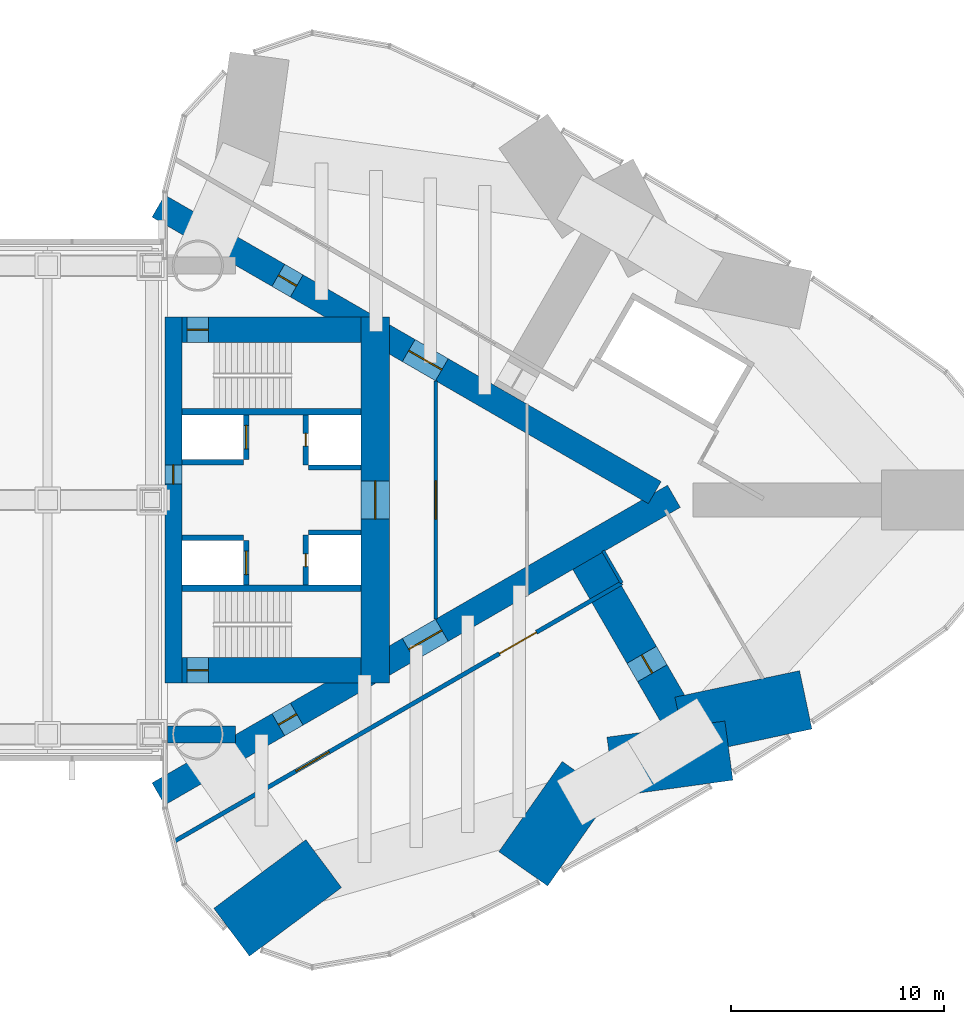
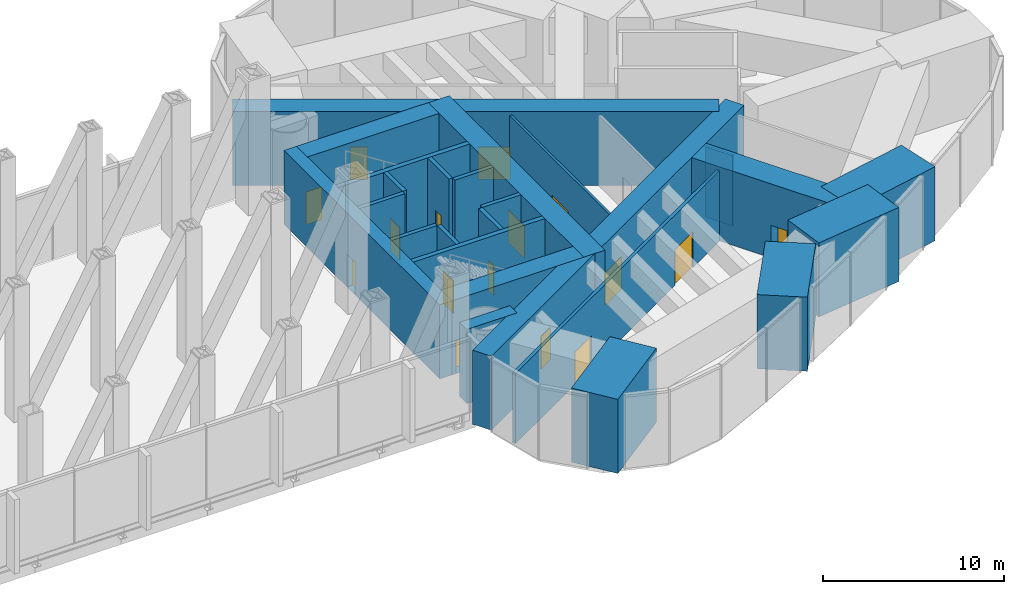
# One storey, part 18 of 21: 25 walls, 16 doors, 16 openings.
"""IFC4 building model written with IfcOpenShell, lengths in metres."""

from ifc_helpers import new_model, si_unit, direction, frame, frame_2d, origin, place, context, subcontext, project, spatial, rectangle, extrude, material, layer, layer_set, type_object, element, fill, save


model = new_model("IFC4")

# Units and contexts
model_context = context("Model", 3, precision=1e-05, world=origin(), true_north=direction((0.0, 1.0)))
body_context = subcontext(model_context, "Body", "Model", "MODEL_VIEW")
ifc_project = project(units=[si_unit("LENGTHUNIT", "METRE"), si_unit("AREAUNIT", "SQUARE_METRE"), si_unit("VOLUMEUNIT", "CUBIC_METRE"), si_unit("PLANEANGLEUNIT", "RADIAN"), si_unit("MASSUNIT", "GRAM", prefix="KILO")], contexts=[model_context])

# Site, building, storey
site_placement = place(None, origin())
site = spatial("IfcSite", under=ifc_project, at=site_placement, CompositionType="ELEMENT")
building_placement = place(site_placement, origin())
building = spatial("IfcBuilding", under=site, at=building_placement, Name="Lancet Gate Hotel", CompositionType="ELEMENT")
storey_placement = place(building_placement, frame((0.0, 0.0, 205.300048828125)))
storey = spatial("IfcBuildingStorey", under=building, at=storey_placement, Name="L55", CompositionType="ELEMENT", Elevation=205.300048828125)

# Wall, openings, doors
ifc_material_1 = material(Name="Concrete C70/85", Category="concrete")
ifc_layer_1 = layer(ifc_material_1, 1.199951171875)
ifc_layer_set_1 = layer_set([ifc_layer_1], Name="Buttress wall 1200")
wall_type_1 = type_object("IfcWallType", Name="Buttress wall 1200", PredefinedType="SHEAR", material=ifc_layer_set_1)
wall_1_placement = place(storey_placement, frame((27.199951171875, -13.800048828125, 0.0), z_axis=(0.0, 0.0, 1.0), x_axis=(0.866027159892, 0.499996958321, 0.0)))
wall_1 = element("IfcWall", 1, at=wall_1_placement, inside=storey, type_object=wall_type_1, Name="T2 buttress wall S L55", PredefinedType="SHEAR", context=body_context, shape_type="SweptSolid", body=[
    extrude(rectangle(XDim=27.946533203125, YDim=1.199951171875, at=frame_2d((13.97314453125, 0.0))), origin(), (0.0, 0.0, 1.0), 5.0),
])
opening_1_placement = place(wall_1_placement, frame((6.5, 0.0, 0.0)))
opening_1 = element("IfcOpeningElement", 2, at=opening_1_placement, cuts=wall_1, Name="Opening T2-L55-LS", PredefinedType="OPENING", context=body_context, shape_type="SweptSolid", body=[
    extrude(rectangle(XDim=1.0, YDim=2.199951171875, at=frame_2d((0.5, 1.10009765625))), frame((0.0, 0.60986328125, 0.0), z_axis=(0.0, -1.0, 0.0), x_axis=(1.0, 0.0, 0.0)), (0.0, 0.0, 1.0), 1.219970703125),
])
opening_2_placement = place(wall_1_placement, frame((13.567626953125, 0.0, 0.0)))
opening_2 = element("IfcOpeningElement", 3, at=opening_2_placement, cuts=wall_1, Name="Opening T2-L55-LHS", PredefinedType="OPENING", context=body_context, shape_type="SweptSolid", body=[
    extrude(rectangle(XDim=1.800048828125, YDim=2.199951171875, at=frame_2d((0.89990234375, 1.10009765625))), frame((0.0, 0.60986328125, 0.0), z_axis=(0.0, -1.0, 0.0), x_axis=(1.0, 0.0, 0.0)), (0.0, 0.0, 1.0), 1.219970703125),
])
ifc_material_2 = material(Name="Timber door set", Category="wood")
door_type_1 = type_object("IfcDoorType", Name="Lobby double door 1800", OperationType="DOUBLE_DOOR_SINGLE_SWING", PredefinedType="DOOR", material=ifc_material_2)
door_1_placement = place(opening_2_placement, origin())
door_1 = element("IfcDoor", 4, at=door_1_placement, inside=storey, type_object=door_type_1, Name="T2-L55-LHS", OperationType="DOUBLE_DOOR_SINGLE_SWING", OverallHeight=2.199951171875, OverallWidth=1.800048828125, PredefinedType="DOOR", context=body_context, shape_type="SweptSolid", body=[
    extrude(rectangle(XDim=1.800048828125, YDim=2.199951171875, at=frame_2d((0.89990234375, 1.10009765625))), frame((0.0, 0.02490234375, 0.0), z_axis=(0.0, -1.0, 0.0), x_axis=(1.0, 0.0, 0.0)), (0.0, 0.0, 1.0), 0.050048828125),
])
fill(opening_2, door_1)
ifc_material_3 = material(Name="Timber door set", Category="wood")
door_type_2 = type_object("IfcDoorType", Name="Stair lobby door 1000", OperationType="SINGLE_SWING_LEFT", PredefinedType="DOOR", material=ifc_material_3)
door_2_placement = place(opening_1_placement, origin())
door_2 = element("IfcDoor", 5, at=door_2_placement, inside=storey, type_object=door_type_2, Name="T2-L55-LS", OperationType="SINGLE_SWING_LEFT", OverallHeight=2.199951171875, OverallWidth=1.0, PredefinedType="DOOR", context=body_context, shape_type="SweptSolid", body=[
    extrude(rectangle(XDim=1.0, YDim=2.199951171875, at=frame_2d((0.5, 1.10009765625))), frame((0.0, 0.02490234375, 0.0), z_axis=(0.0, -1.0, 0.0), x_axis=(1.0, 0.0, 0.0)), (0.0, 0.0, 1.0), 0.050048828125),
])
fill(opening_1, door_2)

wall_2_placement = place(storey_placement, frame((27.199951171875, 13.800048828125, 0.0), z_axis=(0.0, 0.0, 1.0), x_axis=(0.866024515034, -0.500001539357, 0.0)))
wall_2 = element("IfcWall", 6, at=wall_2_placement, inside=storey, type_object=wall_type_1, Name="T2 buttress wall N L55", PredefinedType="SHEAR", context=body_context, shape_type="SweptSolid", body=[
    extrude(rectangle(XDim=26.9072265625, YDim=1.199951171875, at=frame_2d((13.45361328125, 0.0))), origin(), (0.0, 0.0, 1.0), 5.0),
])
opening_3_placement = place(wall_2_placement, frame((6.5, 0.0, 0.0)))
opening_3 = element("IfcOpeningElement", 7, at=opening_3_placement, cuts=wall_2, Name="Opening T2-L55-LN", PredefinedType="OPENING", context=body_context, shape_type="SweptSolid", body=[
    extrude(rectangle(XDim=1.0, YDim=2.199951171875, at=frame_2d((0.5, 1.10009765625))), frame((0.0, 0.60986328125, 0.0), z_axis=(0.0, -1.0, 0.0), x_axis=(1.0, 0.0, 0.0)), (0.0, 0.0, 1.0), 1.219970703125),
])
opening_4_placement = place(wall_2_placement, frame((13.567626953125, 0.0, 0.0)))
opening_4 = element("IfcOpeningElement", 8, at=opening_4_placement, cuts=wall_2, Name="Opening T2-L55-LHN", PredefinedType="OPENING", context=body_context, shape_type="SweptSolid", body=[
    extrude(rectangle(XDim=1.800048828125, YDim=2.199951171875, at=frame_2d((0.89990234375, 1.10009765625))), frame((0.0, 0.60986328125, 0.0), z_axis=(0.0, -1.0, 0.0), x_axis=(1.0, 0.0, 0.0)), (0.0, 0.0, 1.0), 1.219970703125),
])
door_3_placement = place(opening_4_placement, origin())
door_3 = element("IfcDoor", 9, at=door_3_placement, inside=storey, type_object=door_type_1, Name="T2-L55-LHN", OperationType="DOUBLE_DOOR_SINGLE_SWING", OverallHeight=2.199951171875, OverallWidth=1.800048828125, PredefinedType="DOOR", context=body_context, shape_type="SweptSolid", body=[
    extrude(rectangle(XDim=1.800048828125, YDim=2.199951171875, at=frame_2d((0.89990234375, 1.10009765625))), frame((0.0, 0.02490234375, 0.0), z_axis=(0.0, -1.0, 0.0), x_axis=(1.0, 0.0, 0.0)), (0.0, 0.0, 1.0), 0.050048828125),
])
fill(opening_4, door_3)
door_4_placement = place(opening_3_placement, origin())
door_4 = element("IfcDoor", 10, at=door_4_placement, inside=storey, type_object=door_type_2, Name="T2-L55-LN", OperationType="SINGLE_SWING_LEFT", OverallHeight=2.199951171875, OverallWidth=1.0, PredefinedType="DOOR", context=body_context, shape_type="SweptSolid", body=[
    extrude(rectangle(XDim=1.0, YDim=2.199951171875, at=frame_2d((0.5, 1.10009765625))), frame((0.0, 0.02490234375, 0.0), z_axis=(0.0, -1.0, 0.0), x_axis=(1.0, 0.0, 0.0)), (0.0, 0.0, 1.0), 0.050048828125),
])
fill(opening_3, door_4)

# Wall, opening, door
ifc_material_4 = material(Name="Concrete C70/85", Category="concrete")
ifc_layer_2 = layer(ifc_material_4, 1.35009765625)
ifc_layer_set_2 = layer_set([ifc_layer_2], Name="Core back wall 1350, outrigger storeys")
wall_type_2 = type_object("IfcWallType", Name="Core back wall 1350, outrigger storeys", PredefinedType="SHEAR", material=ifc_layer_set_2)
wall_3_placement = place(storey_placement, frame((37.375, -8.60009765625, 0.0), z_axis=(0.0, 0.0, 1.0), x_axis=(0.0, 1.0, 0.0)))
wall_3 = element("IfcWall", 11, at=wall_3_placement, inside=storey, type_object=wall_type_2, Name="T2 core wall back L55", PredefinedType="SHEAR", context=body_context, shape_type="SweptSolid", body=[
    extrude(rectangle(XDim=17.2001953125, YDim=1.35009765625, at=frame_2d((8.60009765625, 0.0))), origin(), (0.0, 0.0, 1.0), 5.0),
])
opening_5_placement = place(wall_3_placement, frame((7.699951171875, 0.0, 0.0)))
opening_5 = element("IfcOpeningElement", 12, at=opening_5_placement, cuts=wall_3, Name="Opening T2-L55-LL", PredefinedType="OPENING", context=body_context, shape_type="SweptSolid", body=[
    extrude(rectangle(XDim=1.800048828125, YDim=2.199951171875, at=frame_2d((0.89990234375, 1.10009765625))), frame((0.0, 0.68505859375, 0.0), z_axis=(0.0, -1.0, 0.0), x_axis=(1.0, 0.0, 0.0)), (0.0, 0.0, 1.0), 1.3701171875),
])
door_5_placement = place(opening_5_placement, origin())
door_5 = element("IfcDoor", 13, at=door_5_placement, inside=storey, type_object=door_type_1, Name="T2-L55-LL", OperationType="DOUBLE_DOOR_SINGLE_SWING", OverallHeight=2.199951171875, OverallWidth=1.800048828125, PredefinedType="DOOR", context=body_context, shape_type="SweptSolid", body=[
    extrude(rectangle(XDim=1.800048828125, YDim=2.199951171875, at=frame_2d((0.89990234375, 1.10009765625))), frame((0.0, 0.02490234375, 0.0), z_axis=(0.0, -1.0, 0.0), x_axis=(1.0, 0.0, 0.0)), (0.0, 0.0, 1.0), 0.050048828125),
])
fill(opening_5, door_5)

ifc_material_5 = material(Name="Concrete C70/85", Category="concrete")
ifc_layer_3 = layer(ifc_material_5, 1.199951171875)
ifc_layer_set_3 = layer_set([ifc_layer_3], Name="Core wall 1200")
wall_type_3 = type_object("IfcWallType", Name="Core wall 1200", PredefinedType="SHEAR", material=ifc_layer_set_3)
wall_4_placement = place(storey_placement, frame((28.300048828125, -8.0, 0.0), z_axis=(0.0, 0.0, 1.0), x_axis=(1.0, 0.0, 0.0)))
wall_4 = element("IfcWall", 14, at=wall_4_placement, inside=storey, type_object=wall_type_3, Name="T2 core wall side-S L55", PredefinedType="SHEAR", context=body_context, shape_type="SweptSolid", body=[
    extrude(rectangle(XDim=8.39990234375, YDim=1.199951171875, at=frame_2d((4.199951171875, 0.0))), origin(), (0.0, 0.0, 1.0), 5.0),
])
opening_6_placement = place(wall_4_placement, frame((0.25, 0.0, 0.0)))
opening_6 = element("IfcOpeningElement", 15, at=opening_6_placement, cuts=wall_4, Name="Opening T2-L55-ST1", PredefinedType="OPENING", context=body_context, shape_type="SweptSolid", body=[
    extrude(rectangle(XDim=1.0, YDim=2.199951171875, at=frame_2d((0.5, 1.10009765625))), frame((0.0, 0.60986328125, 0.0), z_axis=(0.0, -1.0, 0.0), x_axis=(1.0, 0.0, 0.0)), (0.0, 0.0, 1.0), 1.219970703125),
])
ifc_material_6 = material(Name="Timber door set", Category="wood")
door_type_3 = type_object("IfcDoorType", Name="Stair door 1000", OperationType="SINGLE_SWING_RIGHT", PredefinedType="DOOR", material=ifc_material_6)
door_6_placement = place(opening_6_placement, origin())
door_6 = element("IfcDoor", 16, at=door_6_placement, inside=storey, type_object=door_type_3, Name="T2-L55-ST1", OperationType="SINGLE_SWING_RIGHT", OverallHeight=2.199951171875, OverallWidth=1.0, PredefinedType="DOOR", context=body_context, shape_type="SweptSolid", body=[
    extrude(rectangle(XDim=1.0, YDim=2.199951171875, at=frame_2d((0.5, 1.10009765625))), frame((0.0, 0.02490234375, 0.0), z_axis=(0.0, -1.0, 0.0), x_axis=(1.0, 0.0, 0.0)), (0.0, 0.0, 1.0), 0.050048828125),
])
fill(opening_6, door_6)

wall_5_placement = place(storey_placement, frame((28.300048828125, 8.0, 0.0), z_axis=(0.0, 0.0, 1.0), x_axis=(1.0, 0.0, 0.0)))
wall_5 = element("IfcWall", 17, at=wall_5_placement, inside=storey, type_object=wall_type_3, Name="T2 core wall side-N L55", PredefinedType="SHEAR", context=body_context, shape_type="SweptSolid", body=[
    extrude(rectangle(XDim=8.39990234375, YDim=1.199951171875, at=frame_2d((4.199951171875, 0.0))), origin(), (0.0, 0.0, 1.0), 5.0),
])
opening_7_placement = place(wall_5_placement, frame((0.25, 0.0, 0.0)))
opening_7 = element("IfcOpeningElement", 18, at=opening_7_placement, cuts=wall_5, Name="Opening T2-L55-ST2", PredefinedType="OPENING", context=body_context, shape_type="SweptSolid", body=[
    extrude(rectangle(XDim=1.0, YDim=2.199951171875, at=frame_2d((0.5, 1.10009765625))), frame((0.0, 0.60986328125, 0.0), z_axis=(0.0, -1.0, 0.0), x_axis=(1.0, 0.0, 0.0)), (0.0, 0.0, 1.0), 1.219970703125),
])
door_7_placement = place(opening_7_placement, origin())
door_7 = element("IfcDoor", 19, at=door_7_placement, inside=storey, type_object=door_type_3, Name="T2-L55-ST2", OperationType="SINGLE_SWING_RIGHT", OverallHeight=2.199951171875, OverallWidth=1.0, PredefinedType="DOOR", context=body_context, shape_type="SweptSolid", body=[
    extrude(rectangle(XDim=1.0, YDim=2.199951171875, at=frame_2d((0.5, 1.10009765625))), frame((0.0, 0.02490234375, 0.0), z_axis=(0.0, -1.0, 0.0), x_axis=(1.0, 0.0, 0.0)), (0.0, 0.0, 1.0), 0.050048828125),
])
fill(opening_7, door_7)

ifc_material_7 = material(Name="Concrete C70/85", Category="concrete")
ifc_layer_4 = layer(ifc_material_7, 0.800048828125)
ifc_layer_set_4 = layer_set([ifc_layer_4], Name="Core wall 800")
wall_type_4 = type_object("IfcWallType", Name="Core wall 800", PredefinedType="SHEAR", material=ifc_layer_set_4)
wall_6_placement = place(storey_placement, frame((27.89990234375, -8.60009765625, 0.0), z_axis=(0.0, 0.0, 1.0), x_axis=(0.0, 1.0, 0.0)))
wall_6 = element("IfcWall", 20, at=wall_6_placement, inside=storey, type_object=wall_type_4, Name="T2 core wall front L55", PredefinedType="SHEAR", context=body_context, shape_type="SweptSolid", body=[
    extrude(rectangle(XDim=17.2001953125, YDim=0.800048828125, at=frame_2d((8.60009765625, 0.0))), origin(), (0.0, 0.0, 1.0), 5.0),
])
opening_8_placement = place(wall_6_placement, frame((9.35009765625, 0.0, 0.0)))
opening_8 = element("IfcOpeningElement", 21, at=opening_8_placement, cuts=wall_6, Name="Opening T2-L55-BR", PredefinedType="OPENING", context=body_context, shape_type="SweptSolid", body=[
    extrude(rectangle(XDim=0.89990234375, YDim=2.199951171875, at=frame_2d((0.449951171875, 1.10009765625))), frame((0.0, 0.409912109375, 0.0), z_axis=(0.0, -1.0, 0.0), x_axis=(1.0, 0.0, 0.0)), (0.0, 0.0, 1.0), 0.820068359375),
])
ifc_material_8 = material(Name="Steel door set", Category="steel")
door_type_4 = type_object("IfcDoorType", Name="Bridge fire door 900", OperationType="SINGLE_SWING_LEFT", PredefinedType="DOOR", material=ifc_material_8)
door_8_placement = place(opening_8_placement, origin())
door_8 = element("IfcDoor", 22, at=door_8_placement, inside=storey, type_object=door_type_4, Name="T2-L55-BR", OperationType="SINGLE_SWING_LEFT", OverallHeight=2.199951171875, OverallWidth=0.89990234375, PredefinedType="DOOR", context=body_context, shape_type="SweptSolid", body=[
    extrude(rectangle(XDim=0.89990234375, YDim=2.199951171875, at=frame_2d((0.449951171875, 1.10009765625))), frame((0.0, 0.02490234375, 0.0), z_axis=(0.0, -1.0, 0.0), x_axis=(1.0, 0.0, 0.0)), (0.0, 0.0, 1.0), 0.050048828125),
])
fill(opening_8, door_8)

# Wall, openings, doors
ifc_material_9 = material(Name="Gypsum board partition")
ifc_layer_5 = layer(ifc_material_9, 0.199951171875)
ifc_layer_set_5 = layer_set([ifc_layer_5], Name="Corridor wall 200")
wall_type_5 = type_object("IfcWallType", Name="Corridor wall 200", PredefinedType="PARTITIONING", material=ifc_layer_set_5)
wall_7_placement = place(storey_placement, frame((27.95947265625, -16.017333984375, 0.0), z_axis=(0.0, 0.0, 1.0), x_axis=(0.866026253963, 0.499998527445, 0.0)))
wall_7 = element("IfcWall", 23, at=wall_7_placement, inside=storey, type_object=wall_type_5, Name="T2 corridor wall 200 L55", PredefinedType="PARTITIONING", context=body_context, shape_type="SweptSolid", body=[
    extrude(rectangle(XDim=24.24072265625, YDim=0.199951171875, at=frame_2d((12.120361328125, 0.0))), origin(), (0.0, 0.0, 1.0), 4.75),
])
opening_9_placement = place(wall_7_placement, frame((6.579345703125, 0.0, 0.0)))
opening_9 = element("IfcOpeningElement", 24, at=opening_9_placement, cuts=wall_7, Name="Opening T2-L55-TA01", PredefinedType="OPENING", context=body_context, shape_type="SweptSolid", body=[
    extrude(rectangle(XDim=1.800048828125, YDim=2.199951171875, at=frame_2d((0.89990234375, 1.10009765625))), frame((0.0, 0.10986328125, 0.0), z_axis=(0.0, -1.0, 0.0), x_axis=(1.0, 0.0, 0.0)), (0.0, 0.0, 1.0), 0.219970703125),
])
opening_10_placement = place(wall_7_placement, frame((17.6123046875, 0.0, 0.0)))
opening_10 = element("IfcOpeningElement", 25, at=opening_10_placement, cuts=wall_7, Name="Opening T2-L55-TA02", PredefinedType="OPENING", context=body_context, shape_type="SweptSolid", body=[
    extrude(rectangle(XDim=2.0, YDim=2.39990234375, at=frame_2d((1.0, 1.199951171875))), frame((0.0, 0.10986328125, 0.0), z_axis=(0.0, -1.0, 0.0), x_axis=(1.0, 0.0, 0.0)), (0.0, 0.0, 1.0), 0.219970703125),
])
ifc_material_10 = material(Name="Timber door set", Category="wood")
door_type_5 = type_object("IfcDoorType", Name="Double door 1800", OperationType="DOUBLE_DOOR_SINGLE_SWING", PredefinedType="DOOR", material=ifc_material_10)
door_9_placement = place(opening_9_placement, origin())
door_9 = element("IfcDoor", 26, at=door_9_placement, inside=storey, type_object=door_type_5, Name="T2-L55-TA01", OperationType="DOUBLE_DOOR_SINGLE_SWING", OverallHeight=2.199951171875, OverallWidth=1.800048828125, PredefinedType="DOOR", context=body_context, shape_type="SweptSolid", body=[
    extrude(rectangle(XDim=1.800048828125, YDim=2.199951171875, at=frame_2d((0.89990234375, 1.10009765625))), frame((0.0, 0.02490234375, 0.0), z_axis=(0.0, -1.0, 0.0), x_axis=(1.0, 0.0, 0.0)), (0.0, 0.0, 1.0), 0.050048828125),
])
fill(opening_9, door_9)
ifc_material_11 = material(Name="Timber door set", Category="wood")
door_type_6 = type_object("IfcDoorType", Name="Plant room double door 2000", OperationType="DOUBLE_DOOR_SINGLE_SWING", PredefinedType="DOOR", material=ifc_material_11)
door_10_placement = place(opening_10_placement, origin())
door_10 = element("IfcDoor", 27, at=door_10_placement, inside=storey, type_object=door_type_6, Name="T2-L55-TA02", OperationType="DOUBLE_DOOR_SINGLE_SWING", OverallHeight=2.39990234375, OverallWidth=2.0, PredefinedType="DOOR", context=body_context, shape_type="SweptSolid", body=[
    extrude(rectangle(XDim=2.0, YDim=2.39990234375, at=frame_2d((1.0, 1.199951171875))), frame((0.0, 0.02490234375, 0.0), z_axis=(0.0, -1.0, 0.0), x_axis=(1.0, 0.0, 0.0)), (0.0, 0.0, 1.0), 0.050048828125),
])
fill(opening_10, door_10)

# Wall, opening, door
ifc_material_12 = material(Name="Concrete C50/60", Category="concrete")
ifc_layer_6 = layer(ifc_material_12, 0.25)
ifc_layer_set_6 = layer_set([ifc_layer_6], Name="Lift shaft wall 250")
wall_type_6 = type_object("IfcWallType", Name="Lift shaft wall 250", PredefinedType="SHEAR", material=ifc_layer_set_6)
wall_8_placement = place(storey_placement, frame((31.324951171875, -4.0, 0.0), z_axis=(0.0, 0.0, 1.0), x_axis=(0.0, 1.0, 0.0)))
wall_8 = element("IfcWall", 28, at=wall_8_placement, inside=storey, type_object=wall_type_6, Name="T2 core wall row1-S L55", PredefinedType="SHEAR", context=body_context, shape_type="SweptSolid", body=[
    extrude(rectangle(XDim=2.10009765625, YDim=0.25, at=frame_2d((1.050048828125, 0.0))), origin(), (0.0, 0.0, 1.0), 5.0),
])
opening_11_placement = place(wall_8_placement, frame((0.5, 0.0, 0.0)))
opening_11 = element("IfcOpeningElement", 29, at=opening_11_placement, cuts=wall_8, Name="Opening T2-SL1-L55", PredefinedType="OPENING", context=body_context, shape_type="SweptSolid", body=[
    extrude(rectangle(XDim=1.10009765625, YDim=2.199951171875, at=frame_2d((0.550048828125, 1.10009765625))), frame((0.0, 0.135009765625, 0.0), z_axis=(0.0, -1.0, 0.0), x_axis=(1.0, 0.0, 0.0)), (0.0, 0.0, 1.0), 0.27001953125),
])
ifc_material_13 = material(Name="Timber door set", Category="wood")
door_type_7 = type_object("IfcDoorType", Name="Service lift landing door 1100", OperationType="SLIDING_TO_LEFT", PredefinedType="USERDEFINED", material=ifc_material_13)
door_11_placement = place(opening_11_placement, origin())
door_11 = element("IfcDoor", 30, at=door_11_placement, inside=storey, type_object=door_type_7, Name="T2-SL1-L55", ObjectType="LIFT LANDING DOOR", OperationType="SLIDING_TO_LEFT", OverallHeight=2.199951171875, OverallWidth=1.10009765625, PredefinedType="USERDEFINED", context=body_context, shape_type="SweptSolid", body=[
    extrude(rectangle(XDim=1.10009765625, YDim=2.199951171875, at=frame_2d((0.550048828125, 1.10009765625))), frame((0.0, 0.02490234375, 0.0), z_axis=(0.0, -1.0, 0.0), x_axis=(1.0, 0.0, 0.0)), (0.0, 0.0, 1.0), 0.050048828125),
])
fill(opening_11, door_11)

wall_9_placement = place(storey_placement, frame((34.125, -4.0, 0.0), z_axis=(0.0, 0.0, 1.0), x_axis=(0.0, 1.0, 0.0)))
wall_9 = element("IfcWall", 31, at=wall_9_placement, inside=storey, type_object=wall_type_6, Name="T2 core wall row2-S L55", PredefinedType="SHEAR", context=body_context, shape_type="SweptSolid", body=[
    extrude(rectangle(XDim=2.35009765625, YDim=0.25, at=frame_2d((1.175048828125, 0.0))), origin(), (0.0, 0.0, 1.0), 5.0),
])
opening_12_placement = place(wall_9_placement, frame((0.875, 0.0, 0.0)))
opening_12 = element("IfcOpeningElement", 32, at=opening_12_placement, cuts=wall_9, Name="Opening T2-OL3-L55-E", PredefinedType="OPENING", context=body_context, shape_type="SweptSolid", body=[
    extrude(rectangle(XDim=0.60009765625, YDim=2.0, at=frame_2d((0.300048828125, 1.0))), frame((0.0, 0.135009765625, 0.0), z_axis=(0.0, -1.0, 0.0), x_axis=(1.0, 0.0, 0.0)), (0.0, 0.0, 1.0), 0.27001953125),
])
ifc_material_14 = material(Name="Steel door set", Category="steel")
door_type_8 = type_object("IfcDoorType", Name="Lift shaft emergency door 600x2000", OperationType="SLIDING_TO_LEFT", PredefinedType="DOOR", material=ifc_material_14)
door_12_placement = place(opening_12_placement, origin())
door_12 = element("IfcDoor", 33, at=door_12_placement, inside=storey, type_object=door_type_8, Name="T2-OL3-L55-E", OperationType="SLIDING_TO_LEFT", OverallHeight=2.0, OverallWidth=0.60009765625, PredefinedType="DOOR", context=body_context, shape_type="SweptSolid", body=[
    extrude(rectangle(XDim=0.60009765625, YDim=2.0, at=frame_2d((0.300048828125, 1.0))), frame((0.0, 0.02490234375, 0.0), z_axis=(0.0, -1.0, 0.0), x_axis=(1.0, 0.0, 0.0)), (0.0, 0.0, 1.0), 0.050048828125),
])
fill(opening_12, door_12)

# Walls
wall_10_placement = place(storey_placement, frame((28.300048828125, -1.77490234375, 0.0), z_axis=(0.0, 0.0, 1.0), x_axis=(1.0, 0.0, 0.0)))
element("IfcWall", 34, at=wall_10_placement, inside=storey, type_object=wall_type_6, Name="T2 core wall pass1-S L55", PredefinedType="SHEAR", context=body_context, shape_type="SweptSolid", body=[
    extrude(rectangle(XDim=2.89990234375, YDim=0.25, at=frame_2d((1.449951171875, 0.0))), origin(), (0.0, 0.0, 1.0), 5.0),
])
wall_11_placement = place(storey_placement, frame((34.25, -1.52490234375, 0.0), z_axis=(0.0, 0.0, 1.0), x_axis=(1.0, 0.0, 0.0)))
element("IfcWall", 35, at=wall_11_placement, inside=storey, type_object=wall_type_6, Name="T2 core wall pass2-S L55", PredefinedType="SHEAR", context=body_context, shape_type="SweptSolid", body=[
    extrude(rectangle(XDim=2.449951171875, YDim=0.25, at=frame_2d((1.22509765625, 0.0))), origin(), (0.0, 0.0, 1.0), 5.0),
])

# Wall, opening, door
wall_12_placement = place(storey_placement, frame((31.324951171875, 1.89990234375, 0.0), z_axis=(0.0, 0.0, 1.0), x_axis=(0.0, 1.0, 0.0)))
wall_12 = element("IfcWall", 36, at=wall_12_placement, inside=storey, type_object=wall_type_6, Name="T2 core wall row1-N L55", PredefinedType="SHEAR", context=body_context, shape_type="SweptSolid", body=[
    extrude(rectangle(XDim=2.10009765625, YDim=0.25, at=frame_2d((1.050048828125, 0.0))), origin(), (0.0, 0.0, 1.0), 5.0),
])
opening_13_placement = place(wall_12_placement, frame((0.5, 0.0, 0.0)))
opening_13 = element("IfcOpeningElement", 37, at=opening_13_placement, cuts=wall_12, Name="Opening T2-FL2-L55", PredefinedType="OPENING", context=body_context, shape_type="SweptSolid", body=[
    extrude(rectangle(XDim=1.10009765625, YDim=2.199951171875, at=frame_2d((0.550048828125, 1.10009765625))), frame((0.0, 0.135009765625, 0.0), z_axis=(0.0, -1.0, 0.0), x_axis=(1.0, 0.0, 0.0)), (0.0, 0.0, 1.0), 0.27001953125),
])
ifc_material_15 = material(Name="Steel door set", Category="steel")
door_type_9 = type_object("IfcDoorType", Name="Firefighting lift landing door 1100", OperationType="SLIDING_TO_LEFT", PredefinedType="USERDEFINED", material=ifc_material_15)
door_13_placement = place(opening_13_placement, origin())
door_13 = element("IfcDoor", 38, at=door_13_placement, inside=storey, type_object=door_type_9, Name="T2-FL2-L55", ObjectType="LIFT LANDING DOOR", OperationType="SLIDING_TO_LEFT", OverallHeight=2.199951171875, OverallWidth=1.10009765625, PredefinedType="USERDEFINED", context=body_context, shape_type="SweptSolid", body=[
    extrude(rectangle(XDim=1.10009765625, YDim=2.199951171875, at=frame_2d((0.550048828125, 1.10009765625))), frame((0.0, 0.02490234375, 0.0), z_axis=(0.0, -1.0, 0.0), x_axis=(1.0, 0.0, 0.0)), (0.0, 0.0, 1.0), 0.050048828125),
])
fill(opening_13, door_13)

wall_13_placement = place(storey_placement, frame((34.125, 1.64990234375, 0.0), z_axis=(0.0, 0.0, 1.0), x_axis=(0.0, 1.0, 0.0)))
wall_13 = element("IfcWall", 39, at=wall_13_placement, inside=storey, type_object=wall_type_6, Name="T2 core wall row2-N L55", PredefinedType="SHEAR", context=body_context, shape_type="SweptSolid", body=[
    extrude(rectangle(XDim=2.35009765625, YDim=0.25, at=frame_2d((1.175048828125, 0.0))), origin(), (0.0, 0.0, 1.0), 5.0),
])
opening_14_placement = place(wall_13_placement, frame((0.875, 0.0, 0.0)))
opening_14 = element("IfcOpeningElement", 40, at=opening_14_placement, cuts=wall_13, Name="Opening T2-OL4-L55-E", PredefinedType="OPENING", context=body_context, shape_type="SweptSolid", body=[
    extrude(rectangle(XDim=0.60009765625, YDim=2.0, at=frame_2d((0.300048828125, 1.0))), frame((0.0, 0.135009765625, 0.0), z_axis=(0.0, -1.0, 0.0), x_axis=(1.0, 0.0, 0.0)), (0.0, 0.0, 1.0), 0.27001953125),
])
door_14_placement = place(opening_14_placement, origin())
door_14 = element("IfcDoor", 41, at=door_14_placement, inside=storey, type_object=door_type_8, Name="T2-OL4-L55-E", OperationType="SLIDING_TO_LEFT", OverallHeight=2.0, OverallWidth=0.60009765625, PredefinedType="DOOR", context=body_context, shape_type="SweptSolid", body=[
    extrude(rectangle(XDim=0.60009765625, YDim=2.0, at=frame_2d((0.300048828125, 1.0))), frame((0.0, 0.02490234375, 0.0), z_axis=(0.0, -1.0, 0.0), x_axis=(1.0, 0.0, 0.0)), (0.0, 0.0, 1.0), 0.050048828125),
])
fill(opening_14, door_14)

# Walls
wall_14_placement = place(storey_placement, frame((28.300048828125, 1.77490234375, 0.0), z_axis=(0.0, 0.0, 1.0), x_axis=(1.0, 0.0, 0.0)))
element("IfcWall", 42, at=wall_14_placement, inside=storey, type_object=wall_type_6, Name="T2 core wall pass1-N L55", PredefinedType="SHEAR", context=body_context, shape_type="SweptSolid", body=[
    extrude(rectangle(XDim=2.89990234375, YDim=0.25, at=frame_2d((1.449951171875, 0.0))), origin(), (0.0, 0.0, 1.0), 5.0),
])
wall_15_placement = place(storey_placement, frame((34.25, 1.52490234375, 0.0), z_axis=(0.0, 0.0, 1.0), x_axis=(1.0, 0.0, 0.0)))
element("IfcWall", 43, at=wall_15_placement, inside=storey, type_object=wall_type_6, Name="T2 core wall pass2-N L55", PredefinedType="SHEAR", context=body_context, shape_type="SweptSolid", body=[
    extrude(rectangle(XDim=2.449951171875, YDim=0.25, at=frame_2d((1.22509765625, 0.0))), origin(), (0.0, 0.0, 1.0), 5.0),
])

# Wall, opening, door
ifc_material_16 = material(Name="Concrete C80/95", Category="concrete")
ifc_layer_7 = layer(ifc_material_16, 1.60009765625)
ifc_layer_set_7 = layer_set([ifc_layer_7], Name="Outrigger wall 1600")
wall_type_7 = type_object("IfcWallType", Name="Outrigger wall 1600", PredefinedType="SHEAR", material=ifc_layer_set_7)
wall_16_placement = place(storey_placement, frame((47.3447265625, -2.862060546875, 0.0), z_axis=(0.0, 0.0, 1.0), x_axis=(0.500012973899, -0.866017913171, 0.0)))
wall_16 = element("IfcWall", 44, at=wall_16_placement, inside=storey, type_object=wall_type_7, Name="T2 outrigger wall OS2 L55", PredefinedType="SHEAR", context=body_context, shape_type="SweptSolid", body=[
    extrude(rectangle(XDim=10.499267578125, YDim=1.60009765625, at=frame_2d((5.24951171875, 0.0))), origin(), (0.0, 0.0, 1.0), 5.0),
])
opening_15_placement = place(wall_16_placement, frame((5.086669921875, 0.0, 0.0)))
opening_15 = element("IfcOpeningElement", 45, at=opening_15_placement, cuts=wall_16, Name="Opening T2-L55-TA03", PredefinedType="OPENING", context=body_context, shape_type="SweptSolid", body=[
    extrude(rectangle(XDim=1.0, YDim=2.199951171875, at=frame_2d((0.5, 1.10009765625))), frame((0.0, 0.81005859375, 0.0), z_axis=(0.0, -1.0, 0.0), x_axis=(1.0, 0.0, 0.0)), (0.0, 0.0, 1.0), 1.6201171875),
])
ifc_material_17 = material(Name="Timber door set", Category="wood")
door_type_10 = type_object("IfcDoorType", Name="Service door 1000", OperationType="SINGLE_SWING_LEFT", PredefinedType="DOOR", material=ifc_material_17)
door_15_placement = place(opening_15_placement, origin())
door_15 = element("IfcDoor", 46, at=door_15_placement, inside=storey, type_object=door_type_10, Name="T2-L55-TA03", OperationType="SINGLE_SWING_LEFT", OverallHeight=2.199951171875, OverallWidth=1.0, PredefinedType="DOOR", context=body_context, shape_type="SweptSolid", body=[
    extrude(rectangle(XDim=1.0, YDim=2.199951171875, at=frame_2d((0.5, 1.10009765625))), frame((0.0, 0.02490234375, 0.0), z_axis=(0.0, -1.0, 0.0), x_axis=(1.0, 0.0, 0.0)), (0.0, 0.0, 1.0), 0.050048828125),
])
fill(opening_15, door_15)

# Walls
ifc_material_18 = material(Name="Concrete C70/85", Category="concrete")
ifc_layer_8 = layer(ifc_material_18, 0.800048828125)
ifc_layer_set_8 = layer_set([ifc_layer_8], Name="Outrigger wall 800, truss lines")
wall_type_8 = type_object("IfcWallType", Name="Outrigger wall 800, truss lines", PredefinedType="SHEAR", material=ifc_layer_set_8)
wall_17_placement = place(storey_placement, frame((27.6201171875, -11.0, 0.0), z_axis=(0.0, 0.0, 1.0), x_axis=(1.0, 0.0, 0.0)))
element("IfcWall", 47, at=wall_17_placement, inside=storey, type_object=wall_type_8, Name="T2 transfer wall TS L55", PredefinedType="SHEAR", context=body_context, shape_type="SweptSolid", body=[
    extrude(rectangle(XDim=3.20947265625, YDim=0.800048828125, at=frame_2d((1.604736328125, 0.0))), origin(), (0.0, 0.0, 1.0), 5.0),
])
ifc_material_19 = material(Name="Concrete C80/95", Category="concrete")
ifc_layer_9 = layer(ifc_material_19, 2.800048828125)
ifc_layer_set_9 = layer_set([ifc_layer_9], Name="Radial transfer wall 2800")
wall_type_9 = type_object("IfcWallType", Name="Radial transfer wall 2800", PredefinedType="SHEAR", material=ifc_layer_set_9)
wall_18_placement = place(storey_placement, frame((30.637451171875, -20.29296875, 0.0), z_axis=(0.0, 0.0, 1.0), x_axis=(0.80154582286, 0.597933352352, 0.0)))
element("IfcWall", 48, at=wall_18_placement, inside=storey, type_object=wall_type_9, Name="T2 radial transfer wall CS L55", PredefinedType="SHEAR", context=body_context, shape_type="SweptSolid", body=[
    extrude(rectangle(XDim=5.39208984375, YDim=2.800048828125, at=frame_2d((2.696044921875, 0.0))), origin(), (0.0, 0.0, 1.0), 5.0),
])
wall_19_placement = place(storey_placement, frame((44.328369140625, -17.313720703125, 0.0), z_axis=(0.0, 0.0, 1.0), x_axis=(0.575107689221, 0.818077713789, 0.0)))
element("IfcWall", 49, at=wall_19_placement, inside=storey, type_object=wall_type_9, Name="T2 radial transfer wall OS1 L55", PredefinedType="SHEAR", context=body_context, shape_type="SweptSolid", body=[
    extrude(rectangle(XDim=5.1748046875, YDim=2.800048828125, at=frame_2d((2.58740234375, 0.0))), origin(), (0.0, 0.0, 1.0), 5.0),
])
wall_20_placement = place(storey_placement, frame((53.9814453125, -11.76513671875, 0.0), z_axis=(0.0, 0.0, 1.0), x_axis=(-0.99079635938, -0.135360903657, 0.0)))
element("IfcWall", 50, at=wall_20_placement, inside=storey, type_object=wall_type_9, Name="T2 radial transfer wall OS2 L55", PredefinedType="SHEAR", context=body_context, shape_type="SweptSolid", body=[
    extrude(rectangle(XDim=5.5859375, YDim=2.800048828125, at=frame_2d((2.79296875, 0.0))), origin(), (0.0, 0.0, 1.0), 5.0),
])
wall_21_placement = place(storey_placement, frame((57.59033203125, -9.38134765625, 0.0), z_axis=(0.0, 0.0, 1.0), x_axis=(-0.978147441256, -0.207912441101, 0.0)))
element("IfcWall", 51, at=wall_21_placement, inside=storey, type_object=wall_type_9, Name="T2 radial transfer wall OS3 L55", PredefinedType="SHEAR", context=body_context, shape_type="SweptSolid", body=[
    extrude(rectangle(XDim=5.98291015625, YDim=2.800048828125, at=frame_2d((2.991455078125, 0.0))), origin(), (0.0, 0.0, 1.0), 5.0),
])
ifc_material_20 = material(Name="Gypsum board partition")
ifc_layer_10 = layer(ifc_material_20, 0.14990234375)
ifc_layer_set_10 = layer_set([ifc_layer_10], Name="Service room wall 150")
wall_type_10 = type_object("IfcWallType", Name="Service room wall 150", PredefinedType="PARTITIONING", material=ifc_layer_set_10)
wall_22_placement = place(storey_placement, frame((48.95263671875, -3.89697265625, 0.0), z_axis=(0.0, 0.0, 1.0), x_axis=(-0.499980071345, 0.866036909293, 0.0)))
element("IfcWall", 52, at=wall_22_placement, inside=storey, type_object=wall_type_10, Name="T2 service room wall 150 L55", PredefinedType="PARTITIONING", context=body_context, shape_type="SweptSolid", body=[
    extrude(rectangle(XDim=1.75, YDim=0.14990234375, at=frame_2d((0.875, 0.0))), origin(), (0.0, 0.0, 1.0), 4.75),
])

# Wall, opening, door
wall_23_placement = place(storey_placement, frame((40.22509765625, -5.587158203125, 0.0), z_axis=(0.0, 0.0, 1.0), x_axis=(0.0, 1.0, 0.0)))
wall_23 = element("IfcWall", 53, at=wall_23_placement, inside=storey, type_object=wall_type_10, Name="T2 service room wall 150 L55", PredefinedType="PARTITIONING", context=body_context, shape_type="SweptSolid", body=[
    extrude(rectangle(XDim=11.17431640625, YDim=0.14990234375, at=frame_2d((5.587158203125, 0.0))), origin(), (0.0, 0.0, 1.0), 4.75),
])
opening_16_placement = place(wall_23_placement, frame((4.687255859375, 0.0, 0.0)))
opening_16 = element("IfcOpeningElement", 54, at=opening_16_placement, cuts=wall_23, Name="Opening T2-L55-LH", PredefinedType="OPENING", context=body_context, shape_type="SweptSolid", body=[
    extrude(rectangle(XDim=1.800048828125, YDim=2.199951171875, at=frame_2d((0.89990234375, 1.10009765625))), frame((0.0, 0.0849609375, 0.0), z_axis=(0.0, -1.0, 0.0), x_axis=(1.0, 0.0, 0.0)), (0.0, 0.0, 1.0), 0.169921875),
])
door_16_placement = place(opening_16_placement, origin())
door_16 = element("IfcDoor", 55, at=door_16_placement, inside=storey, type_object=door_type_1, Name="T2-L55-LH", OperationType="DOUBLE_DOOR_SINGLE_SWING", OverallHeight=2.199951171875, OverallWidth=1.800048828125, PredefinedType="DOOR", context=body_context, shape_type="SweptSolid", body=[
    extrude(rectangle(XDim=1.800048828125, YDim=2.199951171875, at=frame_2d((0.89990234375, 1.10009765625))), frame((0.0, 0.02490234375, 0.0), z_axis=(0.0, -1.0, 0.0), x_axis=(1.0, 0.0, 0.0)), (0.0, 0.0, 1.0), 0.050048828125),
])
fill(opening_16, door_16)

# Walls
ifc_material_21 = material(Name="Concrete C50/60", Category="concrete")
ifc_layer_11 = layer(ifc_material_21, 0.300048828125)
ifc_layer_set_11 = layer_set([ifc_layer_11], Name="Stair enclosure wall 300")
wall_type_11 = type_object("IfcWallType", Name="Stair enclosure wall 300", PredefinedType="SHEAR", material=ifc_layer_set_11)
for number, where, z_axis, x_axis, name in (
    (56, (28.300048828125, -4.14990234375, 0.0), (0.0, 0.0, 1.0), (1.0, 0.0, 0.0), "T2 core wall stair-S L55"),
    (57, (28.300048828125, 4.14990234375, 0.0), (0.0, 0.0, 1.0), (1.0, 0.0, 0.0), "T2 core wall stair-N L55"),
):
    element("IfcWall", number, at=place(storey_placement, frame(where, z_axis=z_axis, x_axis=x_axis)), inside=storey, type_object=wall_type_11, Name=name, PredefinedType="SHEAR", context=body_context, shape_type="SweptSolid", body=[
        extrude(rectangle(XDim=8.39990234375, YDim=0.300048828125, at=frame_2d((4.199951171875, 0.0))), origin(), (0.0, 0.0, 1.0), 5.0),
    ])

save(model, "model.ifc")
